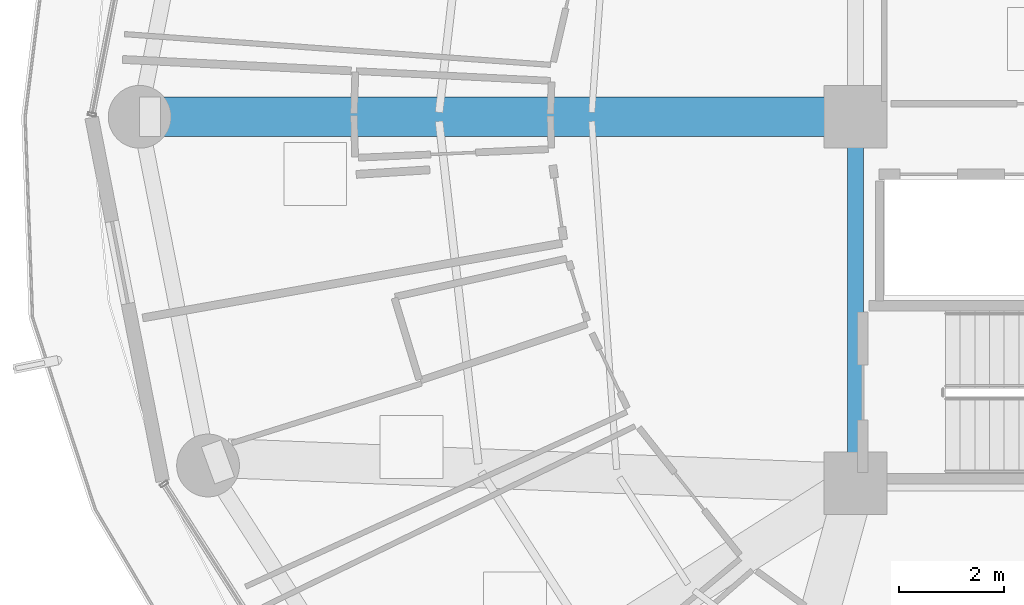
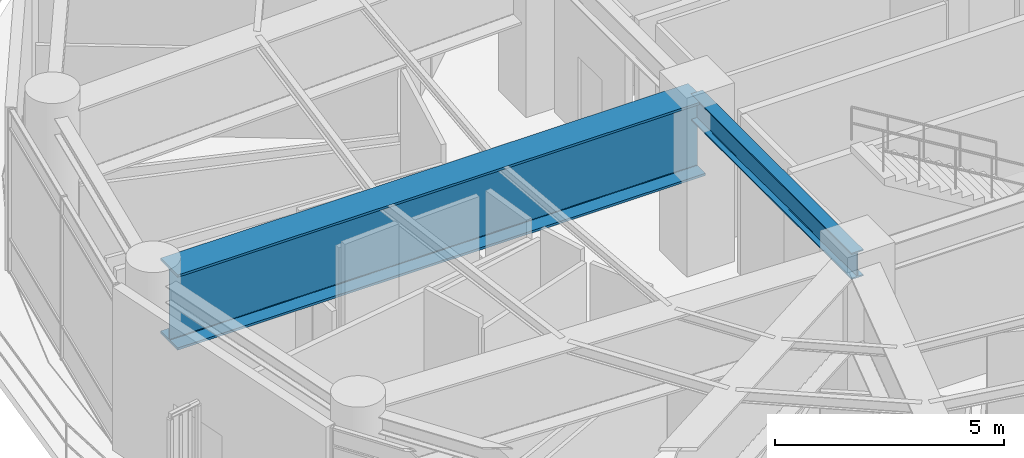
# One storey, part 7 of 28: 2 beams.
"""IFC4 building model written with IfcOpenShell, lengths in metres."""

from ifc_helpers import new_model, si_unit, direction, frame, origin, origin_2d, place, context, subcontext, project, spatial, i_section, extrude, material, material_profile, profile_set, type_object, element, save


model = new_model("IFC4")

# Units and contexts
model_context = context("Model", 3, precision=1e-05, world=origin(), true_north=direction((0.0, 1.0)))
body_context = subcontext(model_context, "Body", "Model", "MODEL_VIEW")
ifc_project = project(units=[si_unit("LENGTHUNIT", "METRE"), si_unit("AREAUNIT", "SQUARE_METRE"), si_unit("VOLUMEUNIT", "CUBIC_METRE"), si_unit("PLANEANGLEUNIT", "RADIAN"), si_unit("MASSUNIT", "GRAM", prefix="KILO")], contexts=[model_context])

# Site, building, storey
site_placement = place(None, origin())
site = spatial("IfcSite", under=ifc_project, at=site_placement, CompositionType="ELEMENT")
building_placement = place(site_placement, origin())
building = spatial("IfcBuilding", under=site, at=building_placement, Name="Kelanora Arch Commons", CompositionType="ELEMENT")
storey_placement = place(building_placement, frame((0.0, 0.0, 184.35009765625)))
storey = spatial("IfcBuildingStorey", under=building, at=storey_placement, Name="L47", CompositionType="ELEMENT", Elevation=184.35009765625)

# Beams
ifc_material = material(Name="Steel S355", Category="steel")
ifc_material_profile_1 = material_profile(ifc_material, i_section(OverallWidth=0.300048828125, OverallDepth=0.699951171875, WebThickness=0.01708984375, FlangeThickness=0.031982421875, FilletRadius=0.027099609375, at=origin_2d()), Name="HEB700")
ifc_profile_set_1 = profile_set([ifc_material_profile_1], Name="Steel S355")
beam_type_1 = type_object("IfcBeamType", Name="BM-CORE-HDR", PredefinedType="BEAM", material=ifc_profile_set_1)
beam_1_placement = place(storey_placement, frame((66.0, 58.0, 4.010009765625), z_axis=(0.0, -1.0, 0.0), x_axis=(1.0, 0.0, 0.0)))
element("IfcBeam", 1, at=beam_1_placement, inside=storey, type_object=beam_type_1, Name="Core Header Beam 09 L47", PredefinedType="BEAM", context=body_context, shape_type="SweptSolid", body=[
    extrude(i_section(OverallWidth=0.300048828125, OverallDepth=0.699951171875, WebThickness=0.01708984375, FlangeThickness=0.031982421875, FilletRadius=0.027099609375, at=origin_2d()), origin(), (0.0, 0.0, 1.0), 7.0),
])
ifc_material_profile_2 = material_profile(ifc_material, i_section(OverallWidth=0.75, OverallDepth=2.0, WebThickness=0.034912109375, FlangeThickness=0.06005859375, FilletRadius=0.028076171875, at=origin_2d()), Name="PG2000x750")
ifc_profile_set_2 = profile_set([ifc_material_profile_2], Name="Steel S355")
beam_type_2 = type_object("IfcBeamType", Name="BM-XFER-SET", PredefinedType="USERDEFINED", material=ifc_profile_set_2)
beam_2_placement = place(storey_placement, frame((66.0, 58.0, 3.35986328125), z_axis=(-1.0, 0.0, 0.0), x_axis=(0.0, -1.0, 0.0)))
element("IfcBeam", 2, at=beam_2_placement, inside=storey, type_object=beam_type_2, Name="Setback Radial Transfer Girder BRI-18 L47", ObjectType="TRANSFER_GIRDER", PredefinedType="USERDEFINED", context=body_context, shape_type="SweptSolid", body=[
    extrude(i_section(OverallWidth=0.75, OverallDepth=2.0, WebThickness=0.034912109375, FlangeThickness=0.06005859375, FilletRadius=0.028076171875, at=origin_2d()), origin(), (0.0, 0.0, 1.0), 13.280029296875),
])

save(model, "model.ifc")
